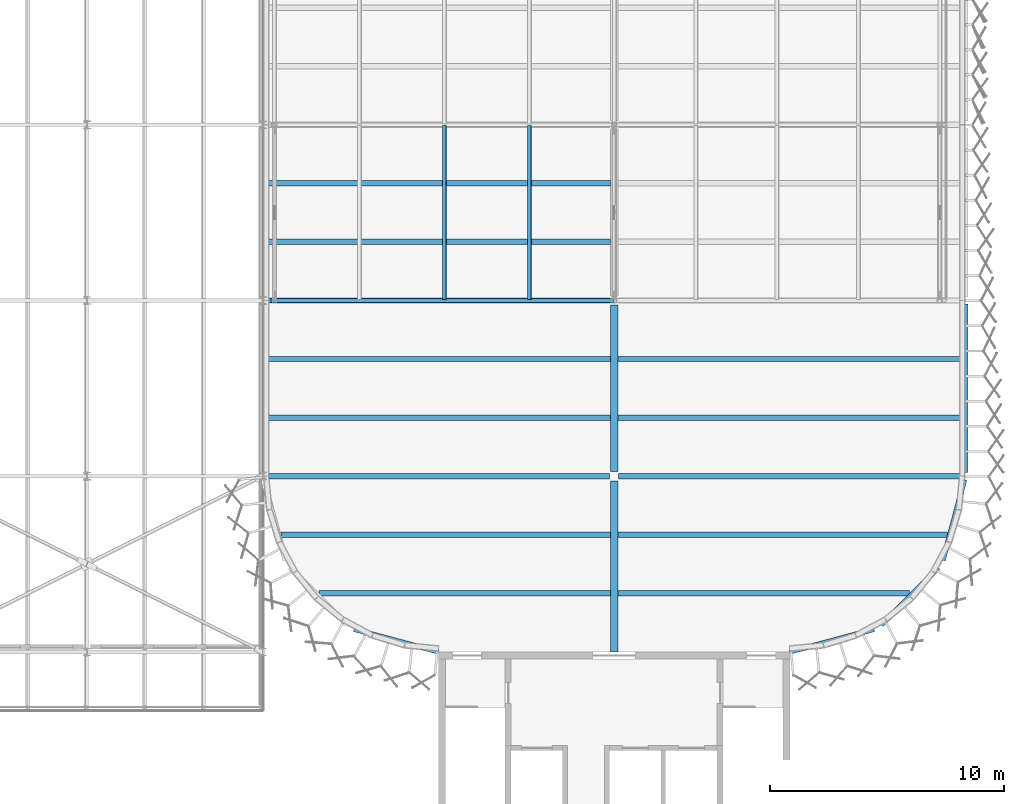
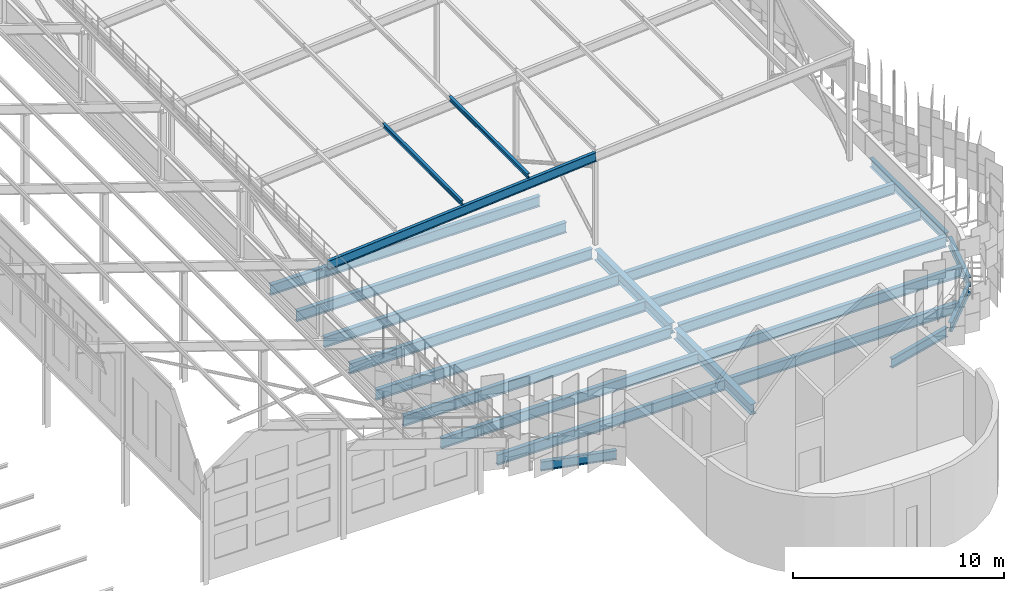
# One storey, part 72 of 483: 20 beams, 3 members.
"""IFC4 building model written with IfcOpenShell, lengths in metres."""

from ifc_helpers import new_model, si_unit, direction, frame, origin, origin_2d, place, context, subcontext, project, spatial, i_section, extrude, material, material_profile, profile_set, type_object, element, save


model = new_model("IFC4")

# Units and contexts
model_context = context("Model", 3, precision=1e-05, world=origin(), true_north=direction((0.0, 1.0)))
body_context = subcontext(model_context, "Body", "Model", "MODEL_VIEW")
ifc_project = project(units=[si_unit("LENGTHUNIT", "METRE"), si_unit("AREAUNIT", "SQUARE_METRE"), si_unit("VOLUMEUNIT", "CUBIC_METRE"), si_unit("PLANEANGLEUNIT", "RADIAN"), si_unit("MASSUNIT", "GRAM", prefix="KILO")], contexts=[model_context])

# Site, building, storey
site_placement = place(None, origin())
site = spatial("IfcSite", under=ifc_project, at=site_placement, CompositionType="ELEMENT")
building_placement = place(site_placement, origin())
building = spatial("IfcBuilding", under=site, at=building_placement, Name="Parallax Yard Mobility Hub", CompositionType="ELEMENT")
storey_placement = place(building_placement, frame((0.0, 0.0, 13.199951171875)))
storey = spatial("IfcBuildingStorey", under=building, at=storey_placement, Name="L04", CompositionType="ELEMENT", Elevation=13.199951171875)

# Members
ifc_material = material(Name="Steel ASTM A992", Category="steel")
ifc_material_profile_1 = material_profile(ifc_material, i_section(OverallWidth=0.14794921875, OverallDepth=0.26611328125, WebThickness=0.007568359375, FlangeThickness=0.012939453125, at=origin_2d()), Name="W250x45")
ifc_profile_set_1 = profile_set([ifc_material_profile_1], Name="Steel ASTM A992")
member_type_1 = type_object("IfcMemberType", Name="Canopy purlin W250x45", PredefinedType="PURLIN", material=ifc_profile_set_1)
for number, where, z_axis, x_axis, name in (
    (1, (202.760498046875, 37.5400390625, 4.882080078125), (0.0, 1.0, 0.0), (-0.996815308126, 0.0, -0.079744852409), "Canopy purlin sector E-A bay 1 line 3"),
    (2, (206.385498046875, 37.5400390625, 5.172119140625), (0.0, 1.0, 0.0), (-0.996815308126, 0.0, -0.079744852409), "Canopy purlin sector E-A bay 1 line 4"),
):
    element("IfcMember", number, at=place(storey_placement, frame(where, z_axis=z_axis, x_axis=x_axis)), inside=storey, type_object=member_type_1, Name=name, PredefinedType="PURLIN", context=body_context, shape_type="SweptSolid", body=[
        extrude(i_section(OverallWidth=0.14794921875, OverallDepth=0.26611328125, WebThickness=0.007568359375, FlangeThickness=0.012939453125, at=origin_2d()), origin(), (0.0, 0.0, 1.0), 7.419921875),
    ])
ifc_material_profile_2 = material_profile(ifc_material, i_section(OverallWidth=0.166015625, OverallDepth=0.529052734375, WebThickness=0.009765625, FlangeThickness=0.013671875, at=origin_2d()), Name="W530x74")
ifc_profile_set_2 = profile_set([ifc_material_profile_2], Name="Steel ASTM A992")
member_type_2 = type_object("IfcMemberType", Name="Canopy rafter W530x74", PredefinedType="RAFTER", material=ifc_profile_set_2)
member_placement = place(storey_placement, frame((195.37109375, 37.5, 3.89501953125), z_axis=(0.996814591838, 0.0, 0.079753805543), x_axis=(0.0, 1.0, 0.0)))
element("IfcMember", 3, at=member_placement, inside=storey, type_object=member_type_2, Name="Canopy rafter E-A1 inner span", PredefinedType="RAFTER", context=body_context, shape_type="SweptSolid", body=[
    extrude(i_section(OverallWidth=0.166015625, OverallDepth=0.529052734375, WebThickness=0.009765625, FlangeThickness=0.013671875, at=origin_2d()), origin(), (0.0, 0.0, 1.0), 14.69677734375),
])

# Beams
ifc_material_profile_3 = material_profile(ifc_material, i_section(OverallWidth=0.208984375, OverallDepth=0.532958984375, WebThickness=0.01025390625, FlangeThickness=0.015625, FilletRadius=0.0126953125, at=origin_2d()), Name="W530x92")
ifc_profile_set_3 = profile_set([ifc_material_profile_3], Name="Steel ASTM A992")
beam_type_1 = type_object("IfcBeamType", Name="W530x92 edge beam", PredefinedType="SPANDREL", material=ifc_profile_set_3)
beam_1_placement = place(storey_placement, frame((225.0, 30.153564453125, -0.406494140625), z_axis=(0.0, 1.0, 0.0), x_axis=(-1.0, 0.0, 0.0)))
element("IfcBeam", 4, at=beam_1_placement, inside=storey, type_object=beam_type_1, Name="Edge beam SB5 level L04, line 31 of ramped parking decks, span 1", PredefinedType="SPANDREL", context=body_context, shape_type="SweptSolid", body=[
    extrude(i_section(OverallWidth=0.208984375, OverallDepth=0.532958984375, WebThickness=0.01025390625, FlangeThickness=0.015625, FilletRadius=0.0126953125, at=origin_2d()), origin(), (0.0, 0.0, 1.0), 7.19384765625),
])
for number, where, z_axis, x_axis, name in (
    (5, (198.902587890625, 23.4638671875, -0.406494140625), (0.965929617639, -0.258804895177, 0.0), (0.258804895177, 0.965929617639, 0.0), "Edge beam SB5 level L04, the south end of ramped parking decks, span 3"),
    (6, (217.5, 22.5, -0.406494140625), (0.965929617639, 0.258804895177, 0.0), (-0.258804895177, 0.965929617639, 0.0), "Edge beam SB5 level L04, the south end of ramped parking decks, span 4"),
):
    element("IfcBeam", number, at=place(storey_placement, frame(where, z_axis=z_axis, x_axis=x_axis)), inside=storey, type_object=beam_type_1, Name=name, PredefinedType="SPANDREL", context=body_context, shape_type="SweptSolid", body=[
        extrude(i_section(OverallWidth=0.208984375, OverallDepth=0.532958984375, WebThickness=0.01025390625, FlangeThickness=0.015625, FilletRadius=0.0126953125, at=origin_2d()), origin(), (0.0, 0.0, 1.0), 3.724365234375),
    ])
beam_2_placement = place(storey_placement, frame((221.402587890625, 23.6572265625, -0.406494140625), z_axis=(0.707106781187, 0.707106781187, 0.0), x_axis=(-0.707106781187, 0.707106781187, 0.0)))
element("IfcBeam", 7, at=beam_2_placement, inside=storey, type_object=beam_type_1, Name="Edge beam SB5 level L04, the south end of ramped parking decks, span 5", PredefinedType="SPANDREL", context=body_context, shape_type="SweptSolid", body=[
    extrude(i_section(OverallWidth=0.208984375, OverallDepth=0.532958984375, WebThickness=0.01025390625, FlangeThickness=0.015625, FilletRadius=0.0126953125, at=origin_2d()), origin(), (0.0, 0.0, 1.0), 3.450927734375),
])
beam_3_placement = place(storey_placement, frame((224.036376953125, 26.403564453125, -0.406494140625), z_axis=(0.258843360847, 0.965919310577, 0.0), x_axis=(-0.965919310577, 0.258843360847, 0.0)))
element("IfcBeam", 8, at=beam_3_placement, inside=storey, type_object=beam_type_1, Name="Edge beam SB5 level L04, the south end of ramped parking decks, span 6", PredefinedType="SPANDREL", context=body_context, shape_type="SweptSolid", body=[
    extrude(i_section(OverallWidth=0.208984375, OverallDepth=0.532958984375, WebThickness=0.01025390625, FlangeThickness=0.015625, FilletRadius=0.0126953125, at=origin_2d()), origin(), (0.0, 0.0, 1.0), 3.564453125),
])
ifc_material_profile_4 = material_profile(ifc_material, i_section(OverallWidth=0.22802734375, OverallDepth=0.60205078125, WebThickness=0.010498046875, FlangeThickness=0.014892578125, FilletRadius=0.0126953125, at=origin_2d()), Name="W610x101")
ifc_profile_set_4 = profile_set([ifc_material_profile_4], Name="Steel ASTM A992")
beam_type_2 = type_object("IfcBeamType", Name="W610x101 secondary beam", PredefinedType="JOIST", material=ifc_profile_set_4)
for number, where, z_axis, x_axis, name in (
    (9, (197.402587890625, 25.0, -0.44091796875), (1.0, 0.0, 0.0), (0.0, 1.0, 0.0), "Secondary beam B3 level L04, 2.5 m north of line D of ramped parking decks, span 1"),
    (10, (210.16259765625, 25.0, -0.44091796875), (1.0, 0.0, 0.0), (0.0, 1.0, 0.0), "Secondary beam B3 level L04, 2.5 m north of line D of ramped parking decks, span 2"),
):
    element("IfcBeam", number, at=place(storey_placement, frame(where, z_axis=z_axis, x_axis=x_axis)), inside=storey, type_object=beam_type_2, Name=name, PredefinedType="JOIST", context=body_context, shape_type="SweptSolid", body=[
        extrude(i_section(OverallWidth=0.22802734375, OverallDepth=0.60205078125, WebThickness=0.010498046875, FlangeThickness=0.014892578125, FilletRadius=0.0126953125, at=origin_2d()), origin(), (0.0, 0.0, 1.0), 12.434814453125),
    ])
for number, where, z_axis, x_axis, name in (
    (11, (195.1044921875, 32.5, -0.44091796875), (1.0, 0.0, 0.0), (0.0, 1.0, 0.0), "Secondary beam B3 level L04, 2.5 m north of line E of ramped parking decks, span 1"),
    (12, (210.16259765625, 32.5, -0.44091796875), (1.0, 0.0, 0.0), (0.0, 1.0, 0.0), "Secondary beam B3 level L04, 2.5 m north of line E of ramped parking decks, span 2"),
    (13, (195.1044921875, 40.0, -0.44091796875), (1.0, 0.0, 0.0), (0.0, 1.0, 0.0), "Secondary beam B3 level L04, 2.5 m north of line F of ramped parking decks, span 1"),
):
    element("IfcBeam", number, at=place(storey_placement, frame(where, z_axis=z_axis, x_axis=x_axis)), inside=storey, type_object=beam_type_2, Name=name, PredefinedType="JOIST", context=body_context, shape_type="SweptSolid", body=[
        extrude(i_section(OverallWidth=0.22802734375, OverallDepth=0.60205078125, WebThickness=0.010498046875, FlangeThickness=0.014892578125, FilletRadius=0.0126953125, at=origin_2d()), origin(), (0.0, 0.0, 1.0), 14.73291015625),
    ])
for number, where, z_axis, x_axis, name in (
    (14, (195.778076171875, 27.5, -0.44091796875), (1.0, 0.0, 0.0), (0.0, 1.0, 0.0), "Secondary beam B3 level L04, 5 m north of line D of ramped parking decks, span 1"),
    (15, (210.16259765625, 27.5, -0.44091796875), (1.0, 0.0, 0.0), (0.0, 1.0, 0.0), "Secondary beam B3 level L04, 5 m north of line D of ramped parking decks, span 2"),
):
    element("IfcBeam", number, at=place(storey_placement, frame(where, z_axis=z_axis, x_axis=x_axis)), inside=storey, type_object=beam_type_2, Name=name, PredefinedType="JOIST", context=body_context, shape_type="SweptSolid", body=[
        extrude(i_section(OverallWidth=0.22802734375, OverallDepth=0.60205078125, WebThickness=0.010498046875, FlangeThickness=0.014892578125, FilletRadius=0.0126953125, at=origin_2d()), origin(), (0.0, 0.0, 1.0), 14.059326171875),
    ])
for number, where, z_axis, x_axis, name in (
    (16, (195.1044921875, 35.0, -0.44091796875), (1.0, 0.0, 0.0), (0.0, 1.0, 0.0), "Secondary beam B3 level L04, 5 m north of line E of ramped parking decks, span 1"),
    (17, (210.16259765625, 35.0, -0.44091796875), (1.0, 0.0, 0.0), (0.0, 1.0, 0.0), "Secondary beam B3 level L04, 5 m north of line E of ramped parking decks, span 2"),
    (18, (195.1044921875, 42.5, -0.44091796875), (1.0, 0.0, 0.0), (0.0, 1.0, 0.0), "Secondary beam B3 level L04, 5 m north of line F of ramped parking decks, span 1"),
):
    element("IfcBeam", number, at=place(storey_placement, frame(where, z_axis=z_axis, x_axis=x_axis)), inside=storey, type_object=beam_type_2, Name=name, PredefinedType="JOIST", context=body_context, shape_type="SweptSolid", body=[
        extrude(i_section(OverallWidth=0.22802734375, OverallDepth=0.60205078125, WebThickness=0.010498046875, FlangeThickness=0.014892578125, FilletRadius=0.0126953125, at=origin_2d()), origin(), (0.0, 0.0, 1.0), 14.73291015625),
    ])
ifc_material_profile_5 = material_profile(ifc_material, i_section(OverallWidth=0.22900390625, OverallDepth=0.612060546875, WebThickness=0.011962890625, FlangeThickness=0.01953125, FilletRadius=0.0126953125, at=origin_2d()), Name="W610x125")
ifc_profile_set_5 = profile_set([ifc_material_profile_5], Name="Steel ASTM A992")
beam_type_3 = type_object("IfcBeamType", Name="W610x125 girder", PredefinedType="BEAM", material=ifc_profile_set_5)
for number, where, z_axis, x_axis, name in (
    (19, (195.158935546875, 30.0, -0.446044921875), (1.0, 0.0, 0.0), (0.0, 1.0, 0.0), "Girder G3 level L04, line E of ramped parking decks, span 1"),
    (20, (210.1904296875, 30.0, -0.446044921875), (1.0, 0.0, 0.0), (0.0, 1.0, 0.0), "Girder G3 level L04, line E of ramped parking decks, span 2"),
):
    element("IfcBeam", number, at=place(storey_placement, frame(where, z_axis=z_axis, x_axis=x_axis)), inside=storey, type_object=beam_type_3, Name=name, PredefinedType="BEAM", context=body_context, shape_type="SweptSolid", body=[
        extrude(i_section(OverallWidth=0.22900390625, OverallDepth=0.612060546875, WebThickness=0.011962890625, FlangeThickness=0.01953125, FilletRadius=0.0126953125, at=origin_2d()), origin(), (0.0, 0.0, 1.0), 14.650634765625),
    ])
beam_4_placement = place(storey_placement, frame((195.153564453125, 37.5, -0.446044921875), z_axis=(1.0, 0.0, 0.0), x_axis=(0.0, 1.0, 0.0)))
element("IfcBeam", 21, at=beam_4_placement, inside=storey, type_object=beam_type_3, Name="Girder G3 level L04, line F of ramped parking decks, span 1", PredefinedType="BEAM", context=body_context, shape_type="SweptSolid", body=[
    extrude(i_section(OverallWidth=0.22900390625, OverallDepth=0.612060546875, WebThickness=0.011962890625, FlangeThickness=0.01953125, FilletRadius=0.0126953125, at=origin_2d()), origin(), (0.0, 0.0, 1.0), 14.662353515625),
])
ifc_material_profile_6 = material_profile(ifc_material, i_section(OverallWidth=0.324951171875, OverallDepth=0.612060546875, WebThickness=0.0126953125, FlangeThickness=0.01904296875, FilletRadius=0.0126953125, at=origin_2d()), Name="W610x155")
ifc_profile_set_6 = profile_set([ifc_material_profile_6], Name="Steel ASTM A992")
beam_type_4 = type_object("IfcBeamType", Name="W610x155 longitudinal beam", PredefinedType="BEAM", material=ifc_profile_set_6)
beam_5_placement = place(storey_placement, frame((210.0, 22.5, -0.446044921875), z_axis=(0.0, 1.0, 0.0), x_axis=(-1.0, 0.0, 0.0)))
element("IfcBeam", 22, at=beam_5_placement, inside=storey, type_object=beam_type_4, Name="Longitudinal beam SB8 level L04, line 29 of ramped parking decks, span 1", PredefinedType="BEAM", context=body_context, shape_type="SweptSolid", body=[
    extrude(i_section(OverallWidth=0.324951171875, OverallDepth=0.612060546875, WebThickness=0.0126953125, FlangeThickness=0.01904296875, FilletRadius=0.0126953125, at=origin_2d()), origin(), (0.0, 0.0, 1.0), 7.302001953125),
])
beam_6_placement = place(storey_placement, frame((210.0, 30.197998046875, -0.446044921875), z_axis=(0.0, 1.0, 0.0), x_axis=(-1.0, 0.0, 0.0)))
element("IfcBeam", 23, at=beam_6_placement, inside=storey, type_object=beam_type_4, Name="Longitudinal beam SB8 level L04, line 29 of ramped parking decks, span 2", PredefinedType="BEAM", context=body_context, shape_type="SweptSolid", body=[
    extrude(i_section(OverallWidth=0.324951171875, OverallDepth=0.612060546875, WebThickness=0.0126953125, FlangeThickness=0.01904296875, FilletRadius=0.0126953125, at=origin_2d()), origin(), (0.0, 0.0, 1.0), 7.115478515625),
])

save(model, "model.ifc")
